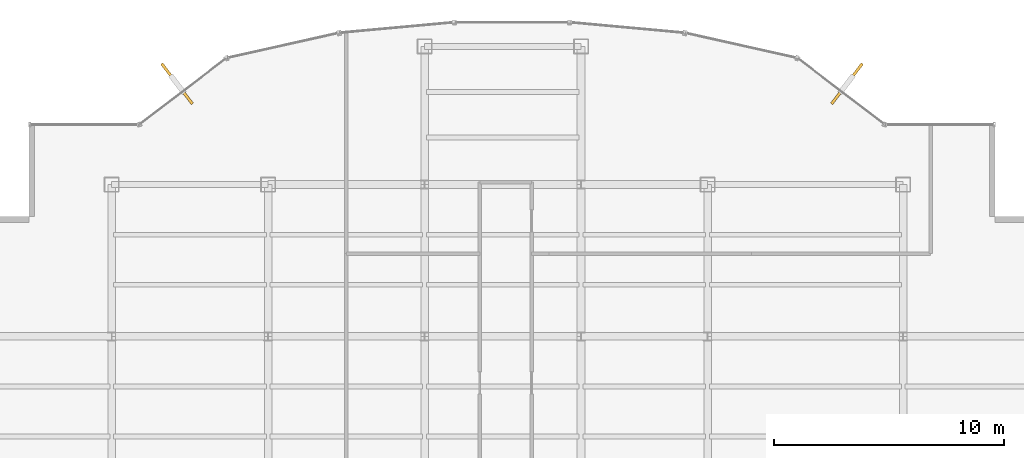
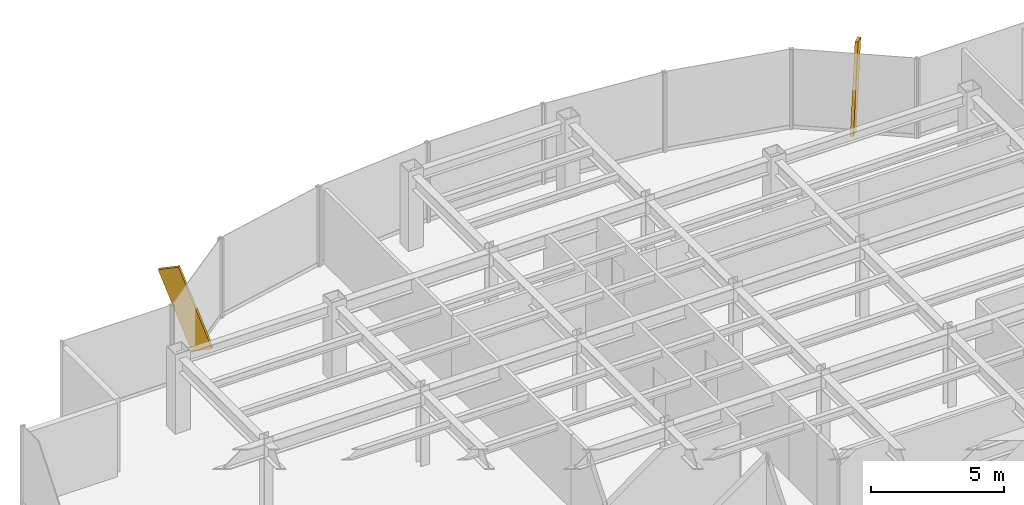
# One storey, part 24 of 25: 2 shading devices.
"""IFC4 building model written with IfcOpenShell, lengths in metres."""

from ifc_helpers import new_model, si_unit, derived_unit, direction, frame, origin, origin_2d, place, context, subcontext, project, spatial, rectangle, extrude, source, transform, mapped, material, type_object, element, save


model = new_model("IFC4")

# Units and contexts
model_context = context("Model", 3, precision=1e-05, world=origin(), true_north=direction((0.0, 1.0)))
body_context = subcontext(model_context, "Body", "Model", "MODEL_VIEW")
ifc_project = project(units=[si_unit("LENGTHUNIT", "METRE"), si_unit("AREAUNIT", "SQUARE_METRE"), si_unit("VOLUMEUNIT", "CUBIC_METRE"), si_unit("PLANEANGLEUNIT", "RADIAN"), si_unit("MASSUNIT", "GRAM", prefix="KILO"), derived_unit("THERMALTRANSMITTANCEUNIT", [(si_unit("POWERUNIT", "WATT"), 1), (si_unit("LENGTHUNIT", "METRE"), -2), (si_unit("THERMODYNAMICTEMPERATUREUNIT", "KELVIN"), -1)])], contexts=[model_context])

# Site, building, storey
site_placement = place(None, origin())
site = spatial("IfcSite", under=ifc_project, at=site_placement, CompositionType="ELEMENT")
building_placement = place(site_placement, origin())
building = spatial("IfcBuilding", under=site, at=building_placement, Name="Skarnbrae Concourse Arena and Tower", CompositionType="ELEMENT")
storey_placement = place(building_placement, frame((0.0, 0.0, 162.5)))
storey = spatial("IfcBuildingStorey", under=building, at=storey_placement, Name="L41", CompositionType="ELEMENT", Elevation=162.5)

# Shading devices
ifc_material = material(Name="Bronze anodised aluminium 6063-T6", Category="aluminium")
shading_device_type = type_object("IfcShadingDeviceType", Name="SHD-BRONZE-FIN-900", PredefinedType="USERDEFINED", material=ifc_material)
shared_shape = source(origin(), body_context, "Body", "SweptSolid", [
    extrude(rectangle(XDim=0.1201171875, YDim=0.89990234375, at=origin_2d()), origin(), (0.0, 0.0, 1.0), 3.64990234375),
])
for number, where, z_axis, x_axis, name in (
    (1, (39.14453125, 38.236572265625, 0.133056640625), (0.227360181444, 0.297924001033, 0.927118459261), (0.794954941871, -0.606668476513, 0.0), "L41 Outward-leaning bronze shading fin 08"),
    (2, (10.85546875, 38.236572265625, 0.133056640625), (-0.227360181444, 0.297924001033, 0.927118459261), (0.794954941871, 0.606668476513, 0.0), "L41 Outward-leaning bronze shading fin 14"),
):
    element("IfcShadingDevice", number, at=place(storey_placement, frame(where, z_axis=z_axis, x_axis=x_axis)), inside=storey, type_object=shading_device_type, Name=name, ObjectType="FIN", PredefinedType="USERDEFINED", context=body_context, shape_type="MappedRepresentation", body=[
        mapped(shared_shape, transform((0.0, 0.0, 0.0))),
    ])

save(model, "model.ifc")
